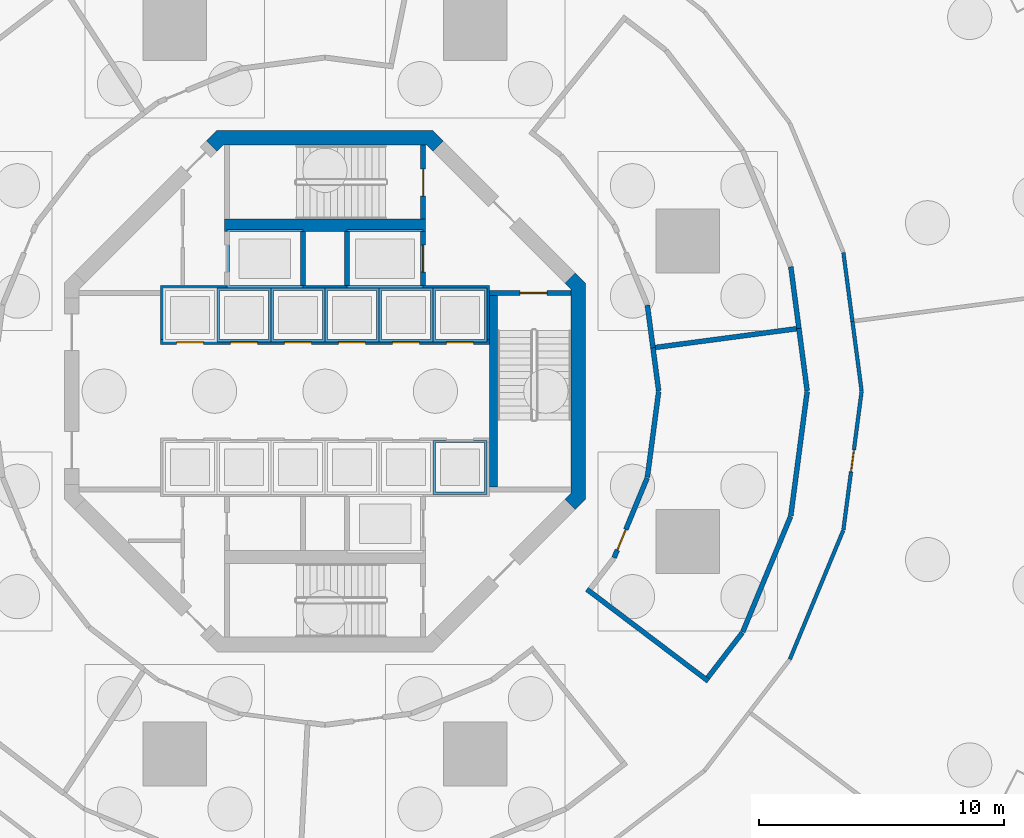
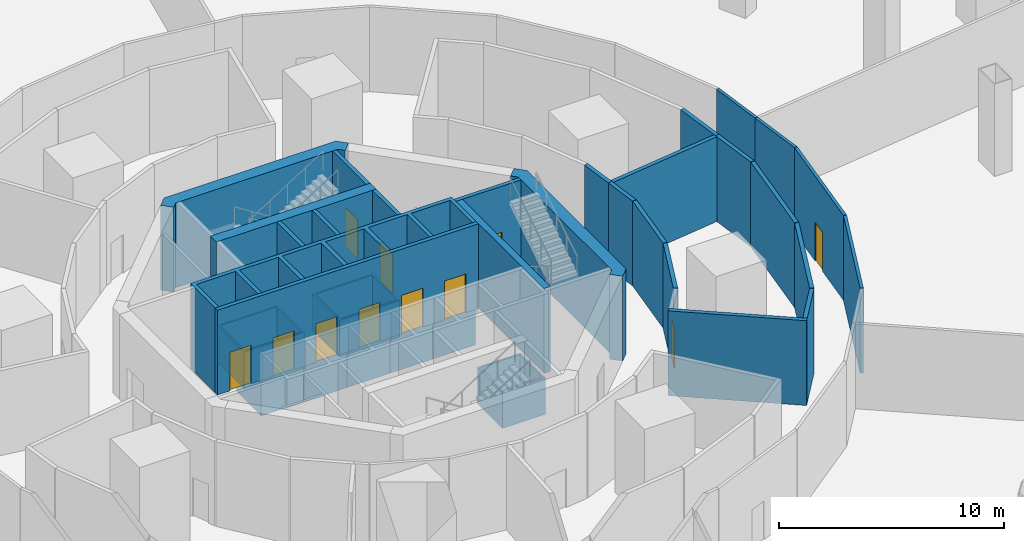
# One storey, part 8 of 14: 34 walls, 11 doors, 11 openings.
"""IFC4 building model written with IfcOpenShell, lengths in metres."""

import ifcopenshell
import ifcopenshell.guid

model = None  # the IFC model being written
_history = None  # IfcOwnerHistory: only IFC2X3 demands one
_inside = {}  # id of a spatial element -> (the spatial element, [elements in it])
_under = {}  # id of a project, library or spatial element -> (it, [spatial elements below it])
_declared = {}  # id of a project -> (the project, [libraries it declares])
_typed = {}  # id of a type object -> (the type object, [elements of that type])
_made_of = {}  # id of a material, layer set ... -> (it, [elements and type objects made of it])


def new_model(schema):
    """Start an empty IFC model of exactly this schema.

    Asked for "IFC4X3", IfcOpenShell would pick the latest addendum, in which some entities
    have other attributes; the version numbers below select the first issue.
    IFC2X3 requires an IfcOwnerHistory on every rooted entity: one is made here for all.
    """
    global model, _history
    if schema == "IFC4X3":
        model = ifcopenshell.file(schema_version=(4, 3, 0, 0))
    else:
        model = ifcopenshell.file(schema=schema)
    _inside.clear()
    _under.clear()
    _declared.clear()
    _typed.clear()
    _made_of.clear()
    _history = None
    if model.schema == "IFC2X3":
        org = make("IfcOrganization", Name="unknown")
        user = make(
            "IfcPersonAndOrganization",
            ThePerson=make("IfcPerson", FamilyName="unknown"),
            TheOrganization=org,
        )
        app = make(
            "IfcApplication",
            ApplicationDeveloper=org,
            Version="unknown",
            ApplicationFullName="unknown",
            ApplicationIdentifier="unknown",
        )
        _history = make(
            "IfcOwnerHistory",
            OwningUser=user,
            OwningApplication=app,
            ChangeAction="ADDED",
            CreationDate=0,
        )
    return model


def make(cls, **values):
    """One entity of the class cls with the attributes given. An attribute that is None is left unset."""
    return model.create_entity(
        cls, **{name: value for name, value in values.items() if value is not None}
    )


def rooted(cls, **values):
    """An entity with a GlobalId (a new one), such as an element, a storey or a relation."""
    return make(cls, GlobalId=ifcopenshell.guid.new(), OwnerHistory=_history, **values)


def si_unit(unit_type, name, prefix=None):
    """IfcSIUnit, for example si_unit("LENGTHUNIT", "METRE", prefix="MILLI")."""
    return make("IfcSIUnit", UnitType=unit_type, Prefix=prefix, Name=name)


def assignment(units):
    """IfcUnitAssignment: the units of a project."""
    return None if units is None else make("IfcUnitAssignment", Units=units)


def point(xyz):
    """IfcCartesianPoint."""
    return None if xyz is None else make("IfcCartesianPoint", Coordinates=xyz)


def direction(xyz):
    """IfcDirection."""
    return None if xyz is None else make("IfcDirection", DirectionRatios=xyz)


def frame(location, z_axis=None, x_axis=None):
    """IfcAxis2Placement3D, a coordinate frame: its origin and axes. An axis left out is left unset."""
    return make(
        "IfcAxis2Placement3D",
        Location=point(location),
        Axis=direction(z_axis),
        RefDirection=direction(x_axis),
    )


def frame_2d(location, x_axis=None):
    """IfcAxis2Placement2D, a coordinate frame in the plane: its origin and x axis."""
    return make(
        "IfcAxis2Placement2D", Location=point(location), RefDirection=direction(x_axis)
    )


def origin():
    """The frame at (0, 0, 0) with its axes left unset."""
    return frame((0.0, 0.0, 0.0))


def place(relative_to, where):
    """IfcLocalPlacement: puts the frame where relative to a parent placement (None: the world)."""
    return make(
        "IfcLocalPlacement", PlacementRelTo=relative_to, RelativePlacement=where
    )


def context(
    kind, dimensions, precision=None, world=None, true_north=None, identifier=None
):
    """IfcGeometricRepresentationContext, for example the 3D "Model" context."""
    return make(
        "IfcGeometricRepresentationContext",
        ContextIdentifier=identifier,
        ContextType=kind,
        CoordinateSpaceDimension=dimensions,
        Precision=precision,
        WorldCoordinateSystem=world,
        TrueNorth=true_north,
    )


def subcontext(parent, identifier, kind, view, scale=None):
    """IfcGeometricRepresentationSubContext, for example "Body" below "Model"."""
    return make(
        "IfcGeometricRepresentationSubContext",
        ContextIdentifier=identifier,
        ContextType=kind,
        ParentContext=parent,
        TargetScale=scale,
        TargetView=view,
    )


def project(units=None, contexts=None):
    """IfcProject with its units and contexts."""
    return rooted(
        "IfcProject",
        Name="project",
        RepresentationContexts=contexts,
        UnitsInContext=assignment(units),
    )


def spatial(cls, under=None, at=None, **own):
    """A site, building, storey or space (cls), placed at a placement, below another one or the project."""
    s = rooted(cls, ObjectPlacement=at, **own)
    if under is not None:
        _under.setdefault(under.id(), (under, []))[1].append(s)
    return s


def polyline(points):
    """IfcPolyline through the points."""
    return make("IfcPolyline", Points=[point(p) for p in points])


def profile(cls, at=None, kind="AREA", **sizes):
    """A parametric profile (cls). Its sizes go by their IFC names, for example OverallWidth=200.0."""
    return make(cls, ProfileType=kind, Position=at, **sizes)


def rectangle(**sizes):
    """IfcRectangleProfileDef."""
    return profile("IfcRectangleProfileDef", **sizes)


def outline(outer, holes=None, kind="AREA"):
    """IfcArbitraryClosedProfileDef: a profile drawn as a closed curve; with holes, ...WithVoids."""
    if holes is None:
        return make("IfcArbitraryClosedProfileDef", ProfileType=kind, OuterCurve=outer)
    return make(
        "IfcArbitraryProfileDefWithVoids",
        ProfileType=kind,
        OuterCurve=outer,
        InnerCurves=holes,
    )


def extrude(swept, where, along, depth):
    """IfcExtrudedAreaSolid: the profile swept, set in the frame where, extruded along a direction by depth."""
    return make(
        "IfcExtrudedAreaSolid",
        SweptArea=swept,
        Position=where,
        ExtrudedDirection=direction(along),
        Depth=depth,
    )


def shape(context_of_items, identifier, shape_type, items):
    """IfcShapeRepresentation: the items that make up one representation, for example the "Body"."""
    return make(
        "IfcShapeRepresentation",
        ContextOfItems=context_of_items,
        RepresentationIdentifier=identifier,
        RepresentationType=shape_type,
        Items=items,
    )


def material(Name=None, Category=None):
    """IfcMaterial."""
    return make("IfcMaterial", Name=Name, Category=Category)


def layer(
    of_material, thickness, ventilated=None, Name=None, Category=None, Priority=None
):
    """IfcMaterialLayer: one layer of a wall or slab, of a material (None: an air gap)."""
    return make(
        "IfcMaterialLayer",
        Material=of_material,
        LayerThickness=thickness,
        IsVentilated=ventilated,
        Name=Name,
        Category=Category,
        Priority=Priority,
    )


def layer_set(layers, Name=None):
    """IfcMaterialLayerSet."""
    return make("IfcMaterialLayerSet", MaterialLayers=layers, LayerSetName=Name)


def made_of(thing, what):
    """Note that an element or type object is made of a material, layer set ...; save() writes the relation."""
    if what is not None:
        _made_of.setdefault(what.id(), (what, []))[1].append(thing)
    return thing


def type_object(cls, material=None, **own):
    """A type object (cls), such as IfcWallType, which elements share."""
    return made_of(rooted(cls, **own), material)


def element(
    cls,
    number,
    at=None,
    inside=None,
    cuts=None,
    type_object=None,
    material=None,
    context=None,
    identifier="Body",
    shape_type=None,
    held_by="IfcProductDefinitionShape",
    body=None,
    shapes=None,
    **own,
):
    """One element of the class cls, such as IfcWall. Its Tag is "e" and its number.

    at: its placement. inside: the storey or other place that contains it. cuts: it is an
    opening in that element (IfcRelVoidsElement). A single representation is given by context,
    identifier, shape_type and body (its items); several are given by shapes. held_by: the class
    of the entity that holds the representations. save() writes the other relations.
    """
    e = rooted(cls, Tag="e%d" % number, ObjectPlacement=at, **own)
    if body is not None:
        shapes = [shape(context, identifier, shape_type, body)]
    if shapes is not None:
        e.Representation = make(held_by, Representations=shapes)
    if inside is not None:
        _inside.setdefault(inside.id(), (inside, []))[1].append(e)
    if cuts is not None:
        rooted(
            "IfcRelVoidsElement", RelatingBuildingElement=cuts, RelatedOpeningElement=e
        )
    if type_object is not None:
        _typed.setdefault(type_object.id(), (type_object, []))[1].append(e)
    return made_of(e, material)


def fill(opening, filler):
    """IfcRelFillsElement: the door or window that sits in an opening."""
    return rooted(
        "IfcRelFillsElement",
        RelatingOpeningElement=opening,
        RelatedBuildingElement=filler,
    )


def aggregate(whole, parts):
    """IfcRelAggregates: a whole, such as a stair, and the parts it consists of."""
    return rooted("IfcRelAggregates", RelatingObject=whole, RelatedObjects=parts)


def save(model, path):
    """Write the relations noted so far, then the file.

    IfcRelAggregates (storeys below a building ...), IfcRelContainedInSpatialStructure (elements
    in a storey), IfcRelDefinesByType, IfcRelAssociatesMaterial and IfcRelDeclares: one each for
    every whole, place, type object, material and project.
    """
    for whole, parts in _under.values():
        aggregate(whole, parts)
    for where, things in _inside.values():
        rooted(
            "IfcRelContainedInSpatialStructure",
            RelatedElements=things,
            RelatingStructure=where,
        )
    for kind, things in _typed.values():
        rooted("IfcRelDefinesByType", RelatedObjects=things, RelatingType=kind)
    for what, things in _made_of.values():
        rooted("IfcRelAssociatesMaterial", RelatedObjects=things, RelatingMaterial=what)
    for by, libraries in _declared.values():
        rooted("IfcRelDeclares", RelatingContext=by, RelatedDefinitions=libraries)
    model.write(path)


model = new_model("IFC4")

# Units and contexts
model_context = context("Model", 3, precision=1e-05, world=origin(), true_north=direction((0.0, 1.0)))
body_context = subcontext(model_context, "Body", "Model", "MODEL_VIEW")
ifc_project = project(units=[si_unit("LENGTHUNIT", "METRE"), si_unit("AREAUNIT", "SQUARE_METRE"), si_unit("VOLUMEUNIT", "CUBIC_METRE"), si_unit("PLANEANGLEUNIT", "RADIAN"), si_unit("MASSUNIT", "GRAM", prefix="KILO")], contexts=[model_context])

# Site, building, storey
site_placement = place(None, origin())
site = spatial("IfcSite", under=ifc_project, at=site_placement, CompositionType="ELEMENT")
building_placement = place(site_placement, origin())
building = spatial("IfcBuilding", under=site, at=building_placement, Name="Nagisa Residences", CompositionType="ELEMENT")
storey_placement = place(building_placement, frame((0.0, 0.0, -10.0)))
storey = spatial("IfcBuildingStorey", under=building, at=storey_placement, Name="B2", CompositionType="ELEMENT", Elevation=-10.0)

# Walls
ifc_material_1 = material(Name="Concrete C60", Category="concrete")
ifc_layer_1 = layer(ifc_material_1, 0.60009765625)
ifc_layer_set_1 = layer_set([ifc_layer_1], Name="Core shear wall 600")
wall_type_1 = type_object("IfcWallType", Name="Core shear wall 600", PredefinedType="SHEAR", material=ifc_layer_set_1)
wall_1_placement = place(storey_placement, origin())
element("IfcWall", 1, at=wall_1_placement, inside=storey, type_object=wall_type_1, Name="wall:B2:core:flat2", PredefinedType="SHEAR", context=body_context, shape_type="SweptSolid", body=[
    extrude(outline(polyline([(-4.15234375, 10.024658203125), (-4.40087890625, 9.776123046875), (-4.8251953125, 10.200439453125), (-4.40087890625, 10.62451171875), (4.40087890625, 10.62451171875), (4.8251953125, 10.200439453125), (4.40087890625, 9.776123046875), (4.15234375, 10.024658203125), (-4.15234375, 10.024658203125)])), origin(), (0.0, 0.0, 1.0), 4.60009765625),
])
wall_2_placement = place(storey_placement, origin())
element("IfcWall", 2, at=wall_2_placement, inside=storey, type_object=wall_type_1, Name="wall:B2:core:flat0", PredefinedType="SHEAR", context=body_context, shape_type="SweptSolid", body=[
    extrude(outline(polyline([(9.776123046875, -4.40087890625), (10.024658203125, -4.15234375), (10.024658203125, -3.801025390625), (10.024658203125, 4.15234375), (9.776123046875, 4.40087890625), (10.200439453125, 4.8251953125), (10.62451171875, 4.40087890625), (10.62451171875, -4.40087890625), (10.200439453125, -4.8251953125), (9.776123046875, -4.40087890625)])), origin(), (0.0, 0.0, 1.0), 4.60009765625),
])
ifc_material_2 = material(Name="Concrete C60", Category="concrete")
ifc_layer_2 = layer(ifc_material_2, 0.300048828125)
ifc_layer_set_2 = layer_set([ifc_layer_2], Name="Lift pit wall")
wall_type_2 = type_object("IfcWallType", Name="Lift pit wall", PredefinedType="SOLIDWALL", material=ifc_layer_set_2)
wall_3_placement = place(storey_placement, frame((0.0, 0.0, -2.0)))
element("IfcWall", 3, at=wall_3_placement, inside=storey, type_object=wall_type_2, Name="pit:A2:wall", PredefinedType="SOLIDWALL", context=body_context, shape_type="SweptSolid", body=[
    extrude(outline(polyline([(-2.199951171875, 2.0), (-4.39990234375, 2.0), (-4.39990234375, 4.199951171875), (-2.199951171875, 4.199951171875), (-2.199951171875, 2.0)]), holes=[polyline([(-2.300048828125, 2.10009765625), (-2.300048828125, 4.10009765625), (-4.300048828125, 4.10009765625), (-4.300048828125, 2.10009765625), (-2.300048828125, 2.10009765625)])]), origin(), (0.0, 0.0, 1.0), 2.0),
])
wall_4_placement = place(storey_placement, frame((0.0, 0.0, -2.0)))
element("IfcWall", 4, at=wall_4_placement, inside=storey, type_object=wall_type_2, Name="pit:A3:wall", PredefinedType="SOLIDWALL", context=body_context, shape_type="SweptSolid", body=[
    extrude(outline(polyline([(0.0, 2.0), (-2.199951171875, 2.0), (-2.199951171875, 4.199951171875), (0.0, 4.199951171875), (0.0, 2.0)]), holes=[polyline([(-0.10009765625, 2.10009765625), (-0.10009765625, 4.10009765625), (-2.10009765625, 4.10009765625), (-2.10009765625, 2.10009765625), (-0.10009765625, 2.10009765625)])]), origin(), (0.0, 0.0, 1.0), 2.0),
])
wall_5_placement = place(storey_placement, frame((0.0, 0.0, -2.0)))
element("IfcWall", 5, at=wall_5_placement, inside=storey, type_object=wall_type_2, Name="pit:B1:wall", PredefinedType="SOLIDWALL", context=body_context, shape_type="SweptSolid", body=[
    extrude(outline(polyline([(2.199951171875, 2.0), (0.0, 2.0), (0.0, 4.199951171875), (2.199951171875, 4.199951171875), (2.199951171875, 2.0)]), holes=[polyline([(2.10009765625, 2.10009765625), (2.10009765625, 4.10009765625), (0.10009765625, 4.10009765625), (0.10009765625, 2.10009765625), (2.10009765625, 2.10009765625)])]), origin(), (0.0, 0.0, 1.0), 2.0),
])
wall_6_placement = place(storey_placement, frame((0.0, 0.0, -2.0)))
element("IfcWall", 6, at=wall_6_placement, inside=storey, type_object=wall_type_2, Name="pit:B2:wall", PredefinedType="SOLIDWALL", context=body_context, shape_type="SweptSolid", body=[
    extrude(outline(polyline([(4.39990234375, 2.0), (2.199951171875, 2.0), (2.199951171875, 4.199951171875), (4.39990234375, 4.199951171875), (4.39990234375, 2.0)]), holes=[polyline([(4.300048828125, 2.10009765625), (4.300048828125, 4.10009765625), (2.300048828125, 4.10009765625), (2.300048828125, 2.10009765625), (4.300048828125, 2.10009765625)])]), origin(), (0.0, 0.0, 1.0), 2.0),
])
wall_7_placement = place(storey_placement, frame((0.0, 0.0, -2.0)))
element("IfcWall", 7, at=wall_7_placement, inside=storey, type_object=wall_type_2, Name="pit:C1:wall", PredefinedType="SOLIDWALL", context=body_context, shape_type="SweptSolid", body=[
    extrude(outline(polyline([(6.60009765625, 2.0), (4.39990234375, 2.0), (4.39990234375, 4.199951171875), (6.60009765625, 4.199951171875), (6.60009765625, 2.0)]), holes=[polyline([(6.5, 2.10009765625), (6.5, 4.10009765625), (4.5, 4.10009765625), (4.5, 2.10009765625), (6.5, 2.10009765625)])]), origin(), (0.0, 0.0, 1.0), 2.0),
])
wall_8_placement = place(storey_placement, frame((0.0, 0.0, -2.0)))
element("IfcWall", 8, at=wall_8_placement, inside=storey, type_object=wall_type_2, Name="pit:C3:wall", PredefinedType="SOLIDWALL", context=body_context, shape_type="SweptSolid", body=[
    extrude(outline(polyline([(6.60009765625, -4.199951171875), (4.39990234375, -4.199951171875), (4.39990234375, -2.0), (6.60009765625, -2.0), (6.60009765625, -4.199951171875)]), holes=[polyline([(6.5, -4.10009765625), (6.5, -2.10009765625), (4.5, -2.10009765625), (4.5, -4.10009765625), (6.5, -4.10009765625)])]), origin(), (0.0, 0.0, 1.0), 2.0),
])
wall_9_placement = place(storey_placement, frame((0.0, 0.0, -2.0)))
element("IfcWall", 9, at=wall_9_placement, inside=storey, type_object=wall_type_2, Name="pit:FL1:wall", PredefinedType="SOLIDWALL", context=body_context, shape_type="SweptSolid", body=[
    extrude(outline(polyline([(4.0, 4.199951171875), (0.89990234375, 4.199951171875), (0.89990234375, 6.60009765625), (4.0, 6.60009765625), (4.0, 4.199951171875)]), holes=[polyline([(3.89990234375, 4.300048828125), (3.89990234375, 6.5), (1.0, 6.5), (1.0, 4.300048828125), (3.89990234375, 4.300048828125)])]), origin(), (0.0, 0.0, 1.0), 2.0),
])
wall_10_placement = place(storey_placement, frame((0.0, 0.0, -2.0)))
element("IfcWall", 10, at=wall_10_placement, inside=storey, type_object=wall_type_2, Name="pit:SV:wall", PredefinedType="SOLIDWALL", context=body_context, shape_type="SweptSolid", body=[
    extrude(outline(polyline([(-0.89990234375, 4.199951171875), (-4.0, 4.199951171875), (-4.0, 6.60009765625), (-0.89990234375, 6.60009765625), (-0.89990234375, 4.199951171875)]), holes=[polyline([(-1.0, 4.300048828125), (-1.0, 6.5), (-3.89990234375, 6.5), (-3.89990234375, 4.300048828125), (-1.0, 4.300048828125)])]), origin(), (0.0, 0.0, 1.0), 2.0),
])

# Wall, opening, door
ifc_material_3 = material(Name="Concrete C60", Category="concrete")
ifc_layer_3 = layer(ifc_material_3, 0.199951171875)
ifc_layer_set_3 = layer_set([ifc_layer_3], Name="Lift shaft wall 200")
wall_type_3 = type_object("IfcWallType", Name="Lift shaft wall 200", PredefinedType="SOLIDWALL", material=ifc_layer_set_3)
wall_11_placement = place(storey_placement, frame((4.0, 4.300048828125, 0.0), z_axis=(0.0, 0.0, 1.0), x_axis=(0.0, 1.0, 0.0)))
wall_11 = element("IfcWall", 11, at=wall_11_placement, inside=storey, type_object=wall_type_3, Name="wall:B2:Nb3", PredefinedType="SOLIDWALL", context=body_context, shape_type="SweptSolid", body=[
    extrude(rectangle(XDim=2.199951171875, YDim=0.199951171875, at=frame_2d((1.10009765625, 0.0))), origin(), (0.0, 0.0, 1.0), 4.60009765625),
])
opening_1_placement = place(wall_11_placement, frame((0.550048828125, 0.0, 0.0)))
opening_1 = element("IfcOpeningElement", 12, at=opening_1_placement, cuts=wall_11, Name="Opening B2-C13", PredefinedType="OPENING", context=body_context, shape_type="SweptSolid", body=[
    extrude(rectangle(XDim=1.10009765625, YDim=2.10009765625, at=frame_2d((0.550048828125, 1.050048828125))), frame((0.0, 0.10986328125, 0.0), z_axis=(0.0, -1.0, 0.0), x_axis=(1.0, 0.0, 0.0)), (0.0, 0.0, 1.0), 0.219970703125),
])
ifc_material_4 = material(Name="Stainless steel", Category="steel")
door_type_1 = type_object("IfcDoorType", Name="Lift landing door 1100x2100", OperationType="DOUBLE_DOOR_SLIDING", PredefinedType="DOOR", material=ifc_material_4)
door_1_placement = place(opening_1_placement, origin())
door_1 = element("IfcDoor", 13, at=door_1_placement, inside=storey, type_object=door_type_1, Name="Landing door FL1 B2", OperationType="DOUBLE_DOOR_SLIDING", OverallHeight=2.10009765625, OverallWidth=1.10009765625, PredefinedType="DOOR", context=body_context, shape_type="SweptSolid", body=[
    extrude(rectangle(XDim=1.10009765625, YDim=2.10009765625, at=frame_2d((0.550048828125, 1.050048828125))), frame((0.0, 0.02490234375, 0.0), z_axis=(0.0, -1.0, 0.0), x_axis=(1.0, 0.0, 0.0)), (0.0, 0.0, 1.0), 0.050048828125),
])
fill(opening_1, door_1)

# Wall, openings, doors
wall_12_placement = place(storey_placement, frame((-6.699951171875, 2.0, 0.0), z_axis=(0.0, 0.0, 1.0), x_axis=(1.0, 0.0, 0.0)))
wall_12 = element("IfcWall", 14, at=wall_12_placement, inside=storey, type_object=wall_type_3, Name="wall:B2:Nfront", PredefinedType="SOLIDWALL", context=body_context, shape_type="SweptSolid", body=[
    extrude(rectangle(XDim=13.39990234375, YDim=0.199951171875, at=frame_2d((6.699951171875, 0.0))), origin(), (0.0, 0.0, 1.0), 4.60009765625),
])
opening_2_placement = place(wall_12_placement, frame((0.64990234375, 0.0, 0.0)))
opening_2 = element("IfcOpeningElement", 15, at=opening_2_placement, cuts=wall_12, Name="Opening B2-C01", PredefinedType="OPENING", context=body_context, shape_type="SweptSolid", body=[
    extrude(rectangle(XDim=1.10009765625, YDim=2.10009765625, at=frame_2d((0.550048828125, 1.050048828125))), frame((0.0, 0.10986328125, 0.0), z_axis=(0.0, -1.0, 0.0), x_axis=(1.0, 0.0, 0.0)), (0.0, 0.0, 1.0), 0.219970703125),
])
opening_3_placement = place(wall_12_placement, frame((2.85009765625, 0.0, 0.0)))
opening_3 = element("IfcOpeningElement", 16, at=opening_3_placement, cuts=wall_12, Name="Opening B2-C02", PredefinedType="OPENING", context=body_context, shape_type="SweptSolid", body=[
    extrude(rectangle(XDim=1.10009765625, YDim=2.10009765625, at=frame_2d((0.550048828125, 1.050048828125))), frame((0.0, 0.10986328125, 0.0), z_axis=(0.0, -1.0, 0.0), x_axis=(1.0, 0.0, 0.0)), (0.0, 0.0, 1.0), 0.219970703125),
])
opening_4_placement = place(wall_12_placement, frame((5.050048828125, 0.0, 0.0)))
opening_4 = element("IfcOpeningElement", 17, at=opening_4_placement, cuts=wall_12, Name="Opening B2-C03", PredefinedType="OPENING", context=body_context, shape_type="SweptSolid", body=[
    extrude(rectangle(XDim=1.10009765625, YDim=2.10009765625, at=frame_2d((0.550048828125, 1.050048828125))), frame((0.0, 0.10986328125, 0.0), z_axis=(0.0, -1.0, 0.0), x_axis=(1.0, 0.0, 0.0)), (0.0, 0.0, 1.0), 0.219970703125),
])
opening_5_placement = place(wall_12_placement, frame((7.25, 0.0, 0.0)))
opening_5 = element("IfcOpeningElement", 18, at=opening_5_placement, cuts=wall_12, Name="Opening B2-C04", PredefinedType="OPENING", context=body_context, shape_type="SweptSolid", body=[
    extrude(rectangle(XDim=1.10009765625, YDim=2.10009765625, at=frame_2d((0.550048828125, 1.050048828125))), frame((0.0, 0.10986328125, 0.0), z_axis=(0.0, -1.0, 0.0), x_axis=(1.0, 0.0, 0.0)), (0.0, 0.0, 1.0), 0.219970703125),
])
opening_6_placement = place(wall_12_placement, frame((9.449951171875, 0.0, 0.0)))
opening_6 = element("IfcOpeningElement", 19, at=opening_6_placement, cuts=wall_12, Name="Opening B2-C05", PredefinedType="OPENING", context=body_context, shape_type="SweptSolid", body=[
    extrude(rectangle(XDim=1.10009765625, YDim=2.10009765625, at=frame_2d((0.550048828125, 1.050048828125))), frame((0.0, 0.10986328125, 0.0), z_axis=(0.0, -1.0, 0.0), x_axis=(1.0, 0.0, 0.0)), (0.0, 0.0, 1.0), 0.219970703125),
])
opening_7_placement = place(wall_12_placement, frame((11.64990234375, 0.0, 0.0)))
opening_7 = element("IfcOpeningElement", 20, at=opening_7_placement, cuts=wall_12, Name="Opening B2-C06", PredefinedType="OPENING", context=body_context, shape_type="SweptSolid", body=[
    extrude(rectangle(XDim=1.10009765625, YDim=2.10009765625, at=frame_2d((0.550048828125, 1.050048828125))), frame((0.0, 0.10986328125, 0.0), z_axis=(0.0, -1.0, 0.0), x_axis=(1.0, 0.0, 0.0)), (0.0, 0.0, 1.0), 0.219970703125),
])
door_2_placement = place(opening_2_placement, origin())
door_2 = element("IfcDoor", 21, at=door_2_placement, inside=storey, type_object=door_type_1, Name="Landing door A1 B2", OperationType="DOUBLE_DOOR_SLIDING", OverallHeight=2.10009765625, OverallWidth=1.10009765625, PredefinedType="DOOR", context=body_context, shape_type="SweptSolid", body=[
    extrude(rectangle(XDim=1.10009765625, YDim=2.10009765625, at=frame_2d((0.550048828125, 1.050048828125))), frame((0.0, 0.02490234375, 0.0), z_axis=(0.0, -1.0, 0.0), x_axis=(1.0, 0.0, 0.0)), (0.0, 0.0, 1.0), 0.050048828125),
])
fill(opening_2, door_2)
door_3_placement = place(opening_3_placement, origin())
door_3 = element("IfcDoor", 22, at=door_3_placement, inside=storey, type_object=door_type_1, Name="Landing door A2 B2", OperationType="DOUBLE_DOOR_SLIDING", OverallHeight=2.10009765625, OverallWidth=1.10009765625, PredefinedType="DOOR", context=body_context, shape_type="SweptSolid", body=[
    extrude(rectangle(XDim=1.10009765625, YDim=2.10009765625, at=frame_2d((0.550048828125, 1.050048828125))), frame((0.0, 0.02490234375, 0.0), z_axis=(0.0, -1.0, 0.0), x_axis=(1.0, 0.0, 0.0)), (0.0, 0.0, 1.0), 0.050048828125),
])
fill(opening_3, door_3)
door_4_placement = place(opening_4_placement, origin())
door_4 = element("IfcDoor", 23, at=door_4_placement, inside=storey, type_object=door_type_1, Name="Landing door A3 B2", OperationType="DOUBLE_DOOR_SLIDING", OverallHeight=2.10009765625, OverallWidth=1.10009765625, PredefinedType="DOOR", context=body_context, shape_type="SweptSolid", body=[
    extrude(rectangle(XDim=1.10009765625, YDim=2.10009765625, at=frame_2d((0.550048828125, 1.050048828125))), frame((0.0, 0.02490234375, 0.0), z_axis=(0.0, -1.0, 0.0), x_axis=(1.0, 0.0, 0.0)), (0.0, 0.0, 1.0), 0.050048828125),
])
fill(opening_4, door_4)
door_5_placement = place(opening_5_placement, origin())
door_5 = element("IfcDoor", 24, at=door_5_placement, inside=storey, type_object=door_type_1, Name="Landing door B1 B2", OperationType="DOUBLE_DOOR_SLIDING", OverallHeight=2.10009765625, OverallWidth=1.10009765625, PredefinedType="DOOR", context=body_context, shape_type="SweptSolid", body=[
    extrude(rectangle(XDim=1.10009765625, YDim=2.10009765625, at=frame_2d((0.550048828125, 1.050048828125))), frame((0.0, 0.02490234375, 0.0), z_axis=(0.0, -1.0, 0.0), x_axis=(1.0, 0.0, 0.0)), (0.0, 0.0, 1.0), 0.050048828125),
])
fill(opening_5, door_5)
door_6_placement = place(opening_6_placement, origin())
door_6 = element("IfcDoor", 25, at=door_6_placement, inside=storey, type_object=door_type_1, Name="Landing door B2 B2", OperationType="DOUBLE_DOOR_SLIDING", OverallHeight=2.10009765625, OverallWidth=1.10009765625, PredefinedType="DOOR", context=body_context, shape_type="SweptSolid", body=[
    extrude(rectangle(XDim=1.10009765625, YDim=2.10009765625, at=frame_2d((0.550048828125, 1.050048828125))), frame((0.0, 0.02490234375, 0.0), z_axis=(0.0, -1.0, 0.0), x_axis=(1.0, 0.0, 0.0)), (0.0, 0.0, 1.0), 0.050048828125),
])
fill(opening_6, door_6)
door_7_placement = place(opening_7_placement, origin())
door_7 = element("IfcDoor", 26, at=door_7_placement, inside=storey, type_object=door_type_1, Name="Landing door C1 B2", OperationType="DOUBLE_DOOR_SLIDING", OverallHeight=2.10009765625, OverallWidth=1.10009765625, PredefinedType="DOOR", context=body_context, shape_type="SweptSolid", body=[
    extrude(rectangle(XDim=1.10009765625, YDim=2.10009765625, at=frame_2d((0.550048828125, 1.050048828125))), frame((0.0, 0.02490234375, 0.0), z_axis=(0.0, -1.0, 0.0), x_axis=(1.0, 0.0, 0.0)), (0.0, 0.0, 1.0), 0.050048828125),
])
fill(opening_7, door_7)

# Walls
for number, where, z_axis, x_axis, name in (
    (27, (-0.89990234375, 4.300048828125, 0.0), (0.0, 0.0, 1.0), (0.0, 1.0, 0.0), "wall:B2:Nb1"),
    (28, (0.89990234375, 4.300048828125, 0.0), (0.0, 0.0, 1.0), (0.0, 1.0, 0.0), "wall:B2:Nb2"),
):
    element("IfcWall", number, at=place(storey_placement, frame(where, z_axis=z_axis, x_axis=x_axis)), inside=storey, type_object=wall_type_3, Name=name, PredefinedType="SOLIDWALL", context=body_context, shape_type="SweptSolid", body=[
        extrude(rectangle(XDim=2.199951171875, YDim=0.199951171875, at=frame_2d((1.10009765625, 0.0))), origin(), (0.0, 0.0, 1.0), 4.60009765625),
    ])
wall_13_placement = place(storey_placement, origin())
element("IfcWall", 29, at=wall_13_placement, inside=storey, type_object=wall_type_3, Name="wall:B2:Nback", PredefinedType="SOLIDWALL", context=body_context, shape_type="SweptSolid", body=[
    extrude(outline(polyline([(-6.5, 2.10009765625), (-6.699951171875, 2.10009765625), (-6.699951171875, 4.300048828125), (6.699951171875, 4.300048828125), (6.699951171875, 2.10009765625), (6.5, 2.10009765625), (6.5, 4.10009765625), (4.5, 4.10009765625), (4.5, 2.10009765625), (4.300048828125, 2.10009765625), (4.300048828125, 4.10009765625), (2.300048828125, 4.10009765625), (2.300048828125, 2.10009765625), (2.10009765625, 2.10009765625), (2.10009765625, 4.10009765625), (0.10009765625, 4.10009765625), (0.10009765625, 2.10009765625), (-0.10009765625, 2.10009765625), (-0.10009765625, 4.10009765625), (-2.10009765625, 4.10009765625), (-2.10009765625, 2.10009765625), (-2.300048828125, 2.10009765625), (-2.300048828125, 4.10009765625), (-4.300048828125, 4.10009765625), (-4.300048828125, 2.10009765625), (-4.5, 2.10009765625), (-4.5, 4.10009765625), (-6.5, 4.10009765625), (-6.5, 2.10009765625)])), origin(), (0.0, 0.0, 1.0), 4.60009765625),
])
ifc_material_5 = material(Name="Gypsum board on steel studs", Category="steel")
ifc_layer_4 = layer(ifc_material_5, 0.199951171875)
ifc_layer_set_4 = layer_set([ifc_layer_4], Name="Plant room wall EI120 200")
wall_type_4 = type_object("IfcWallType", Name="Plant room wall EI120 200", PredefinedType="PARTITIONING", material=ifc_layer_set_4)
wall_14_placement = place(storey_placement, frame((10.6748046875, -8.073486328125, 0.0), z_axis=(0.0, 0.0, 1.0), x_axis=(0.797578930951, -0.603214596062, 0.0)))
element("IfcWall", 30, at=wall_14_placement, inside=storey, type_object=wall_type_4, Name="wall:B2:am084", PredefinedType="PARTITIONING", context=body_context, shape_type="SweptSolid", body=[
    extrude(rectangle(XDim=6.2001953125, YDim=0.199951171875, at=frame_2d((3.10009765625, 0.0))), origin(), (0.0, 0.0, 1.0), 4.60009765625),
])

# Wall, opening, door
wall_15_placement = place(storey_placement, frame((13.130859375, -3.533935546875, 0.0), z_axis=(0.0, 0.0, 1.0), x_axis=(-0.382723413813, -0.92386297064, 0.0)))
wall_15 = element("IfcWall", 31, at=wall_15_placement, inside=storey, type_object=wall_type_4, Name="wall:B2:am089", PredefinedType="PARTITIONING", context=body_context, shape_type="SweptSolid", body=[
    extrude(rectangle(XDim=3.52001953125, YDim=0.199951171875, at=frame_2d((1.760009765625, 0.0))), origin(), (0.0, 0.0, 1.0), 4.60009765625),
])
opening_8_placement = place(wall_15_placement, frame((2.277587890625, 0.0, 0.0)))
opening_8 = element("IfcOpeningElement", 32, at=opening_8_placement, cuts=wall_15, Name="Opening B2-A07", PredefinedType="OPENING", context=body_context, shape_type="SweptSolid", body=[
    extrude(rectangle(XDim=0.89990234375, YDim=2.10009765625, at=frame_2d((0.449951171875, 1.050048828125))), frame((0.0, 0.10986328125, 0.0), z_axis=(0.0, -1.0, 0.0), x_axis=(1.0, 0.0, 0.0)), (0.0, 0.0, 1.0), 0.219970703125),
])
ifc_material_6 = material(Name="Steel fire door", Category="steel")
door_type_2 = type_object("IfcDoorType", Name="Fire door EI120 900x2100 single swing", OperationType="NOTDEFINED", PredefinedType="DOOR", material=ifc_material_6)
door_8_placement = place(opening_8_placement, origin())
door_8 = element("IfcDoor", 33, at=door_8_placement, inside=storey, type_object=door_type_2, Name="Rainwater tank room door", OperationType="SINGLE_SWING_RIGHT", OverallHeight=2.10009765625, OverallWidth=0.89990234375, PredefinedType="DOOR", context=body_context, shape_type="SweptSolid", body=[
    extrude(rectangle(XDim=0.89990234375, YDim=2.10009765625, at=frame_2d((0.449951171875, 1.050048828125))), frame((0.0, 0.02490234375, 0.0), z_axis=(0.0, -1.0, 0.0), x_axis=(1.0, 0.0, 0.0)), (0.0, 0.0, 1.0), 0.050048828125),
])
fill(opening_8, door_8)

# Walls
wall_16_placement = place(storey_placement, frame((13.138671875, 3.5048828125, 0.0), z_axis=(0.0, 0.0, 1.0), x_axis=(0.130490614336, -0.991449544642, 0.0)))
element("IfcWall", 34, at=wall_16_placement, inside=storey, type_object=wall_type_4, Name="wall:B2:am090", PredefinedType="PARTITIONING", context=body_context, shape_type="SweptSolid", body=[
    extrude(rectangle(XDim=1.749267578125, YDim=0.199951171875, at=frame_2d((0.87451171875, 0.0))), origin(), (0.0, 0.0, 1.0), 4.60009765625),
])
wall_17_placement = place(storey_placement, frame((13.366943359375, 1.7705078125, 0.0), z_axis=(0.0, 0.0, 1.0), x_axis=(0.13044737852, -0.991455234207, 0.0)))
element("IfcWall", 35, at=wall_17_placement, inside=storey, type_object=wall_type_4, Name="wall:B2:am091", PredefinedType="PARTITIONING", context=body_context, shape_type="SweptSolid", body=[
    extrude(rectangle(XDim=1.7705078125, YDim=0.199951171875, at=frame_2d((0.88525390625, 0.0))), origin(), (0.0, 0.0, 1.0), 4.60009765625),
])
wall_18_placement = place(storey_placement, frame((13.597900390625, -0.01513671875, 0.0), z_axis=(0.0, 0.0, 1.0), x_axis=(-0.130468866457, -0.991452406768, 0.0)))
element("IfcWall", 36, at=wall_18_placement, inside=storey, type_object=wall_type_4, Name="wall:B2:am092", PredefinedType="PARTITIONING", context=body_context, shape_type="SweptSolid", body=[
    extrude(rectangle(XDim=3.519775390625, YDim=0.199951171875, at=frame_2d((1.759765625, 0.0))), origin(), (0.0, 0.0, 1.0), 4.60009765625),
])
wall_19_placement = place(storey_placement, frame((15.60107421875, -11.673828125, 0.0), z_axis=(0.0, 0.0, 1.0), x_axis=(0.608741577542, 0.793368572463, 0.0)))
element("IfcWall", 37, at=wall_19_placement, inside=storey, type_object=wall_type_4, Name="wall:B2:am094", PredefinedType="PARTITIONING", context=body_context, shape_type="SweptSolid", body=[
    extrude(rectangle(XDim=2.314208984375, YDim=0.199951171875, at=frame_2d((1.1572265625, 0.0))), origin(), (0.0, 0.0, 1.0), 4.60009765625),
])
for number, where, z_axis, x_axis, name in (
    (38, (17.024658203125, -9.81201171875, 0.0), (0.0, 0.0, 1.0), (0.382687210373, 0.9238779676, 0.0), "wall:B2:am095"),
    (39, (18.984130859375, -5.0712890625, 0.0), (0.0, 0.0, 1.0), (0.13054862779, 0.991441907417, 0.0), "wall:B2:am097"),
):
    element("IfcWall", number, at=place(storey_placement, frame(where, z_axis=z_axis, x_axis=x_axis)), inside=storey, type_object=wall_type_4, Name=name, PredefinedType="PARTITIONING", context=body_context, shape_type="SweptSolid", body=[
        extrude(rectangle(XDim=5.099853515625, YDim=0.199951171875, at=frame_2d((2.5498046875, 0.0))), origin(), (0.0, 0.0, 1.0), 4.60009765625),
    ])
wall_20_placement = place(storey_placement, frame((19.2158203125, 2.545166015625, 0.0), z_axis=(0.0, 0.0, 1.0), x_axis=(-0.991344053672, -0.131289631158, 0.0)))
element("IfcWall", 40, at=wall_20_placement, inside=storey, type_object=wall_type_4, Name="wall:B2:am099", PredefinedType="PARTITIONING", context=body_context, shape_type="SweptSolid", body=[
    extrude(rectangle(XDim=5.800048828125, YDim=0.199951171875, at=frame_2d((2.89990234375, 0.0))), origin(), (0.0, 0.0, 1.0), 4.60009765625),
])
wall_21_placement = place(storey_placement, frame((19.31494140625, 2.558349609375, 0.0), z_axis=(0.0, 0.0, 1.0), x_axis=(-0.130516803836, 0.991446097333, 0.0)))
element("IfcWall", 41, at=wall_21_placement, inside=storey, type_object=wall_type_4, Name="wall:B2:am100", PredefinedType="PARTITIONING", context=body_context, shape_type="SweptSolid", body=[
    extrude(rectangle(XDim=2.53466796875, YDim=0.199951171875, at=frame_2d((1.267333984375, 0.0))), origin(), (0.0, 0.0, 1.0), 4.60009765625),
])
wall_22_placement = place(storey_placement, frame((19.64990234375, 0.01513671875, 0.0), z_axis=(0.0, 0.0, 1.0), x_axis=(-0.130580072527, 0.991437766407, 0.0)))
element("IfcWall", 42, at=wall_22_placement, inside=storey, type_object=wall_type_4, Name="wall:B2:am101", PredefinedType="PARTITIONING", context=body_context, shape_type="SweptSolid", body=[
    extrude(rectangle(XDim=2.565185546875, YDim=0.199951171875, at=frame_2d((1.28271484375, 0.0))), origin(), (0.0, 0.0, 1.0), 4.60009765625),
])
ifc_material_7 = material(Name="Gypsum board on steel studs", Category="steel")
ifc_layer_5 = layer(ifc_material_7, 0.14990234375)
ifc_layer_set_5 = layer_set([ifc_layer_5], Name="Room partition EI60 150")
wall_type_5 = type_object("IfcWallType", Name="Room partition EI60 150", PredefinedType="PARTITIONING", material=ifc_layer_set_5)
wall_23_placement = place(storey_placement, frame((21.120849609375, -5.671630859375, 0.0), z_axis=(0.0, 0.0, 1.0), x_axis=(-0.38269058712, -0.923876568882, 0.0)))
element("IfcWall", 43, at=wall_23_placement, inside=storey, type_object=wall_type_5, Name="wall:B2:am039", PredefinedType="PARTITIONING", context=body_context, shape_type="SweptSolid", body=[
    extrude(rectangle(XDim=5.685546875, YDim=0.14990234375, at=frame_2d((2.8427734375, 0.0))), origin(), (0.0, 0.0, 1.0), 4.60009765625),
])
wall_24_placement = place(storey_placement, frame((21.126953125, 5.64892578125, 0.0), z_axis=(0.0, 0.0, 1.0), x_axis=(0.130539434571, -0.991443117895, 0.0)))
element("IfcWall", 44, at=wall_24_placement, inside=storey, type_object=wall_type_5, Name="wall:B2:am040", PredefinedType="PARTITIONING", context=body_context, shape_type="SweptSolid", body=[
    extrude(rectangle(XDim=2.825927734375, YDim=0.14990234375, at=frame_2d((1.4130859375, 0.0))), origin(), (0.0, 0.0, 1.0), 4.60009765625),
])
wall_25_placement = place(storey_placement, frame((21.495849609375, 2.84716796875, 0.0), z_axis=(0.0, 0.0, 1.0), x_axis=(0.130525176299, -0.991444995122, 0.0)))
element("IfcWall", 45, at=wall_25_placement, inside=storey, type_object=wall_type_5, Name="wall:B2:am041", PredefinedType="PARTITIONING", context=body_context, shape_type="SweptSolid", body=[
    extrude(rectangle(XDim=2.85986328125, YDim=0.14990234375, at=frame_2d((1.429931640625, 0.0))), origin(), (0.0, 0.0, 1.0), 4.60009765625),
])

# Wall, opening, door
wall_26_placement = place(storey_placement, frame((21.869140625, -0.01171875, 0.0), z_axis=(0.0, 0.0, 1.0), x_axis=(-0.130532262837, -0.991444062143, 0.0)))
wall_26 = element("IfcWall", 46, at=wall_26_placement, inside=storey, type_object=wall_type_5, Name="wall:B2:am042", PredefinedType="PARTITIONING", context=body_context, shape_type="SweptSolid", body=[
    extrude(rectangle(XDim=5.685791015625, YDim=0.14990234375, at=frame_2d((2.8427734375, 0.0))), origin(), (0.0, 0.0, 1.0), 4.60009765625),
])
opening_9_placement = place(wall_26_placement, frame((2.392822265625, 0.0, 0.0)))
opening_9 = element("IfcOpeningElement", 47, at=opening_9_placement, cuts=wall_26, Name="Opening B2-A14", PredefinedType="OPENING", context=body_context, shape_type="SweptSolid", body=[
    extrude(rectangle(XDim=0.89990234375, YDim=2.10009765625, at=frame_2d((0.449951171875, 1.050048828125))), frame((0.0, 0.0849609375, 0.0), z_axis=(0.0, -1.0, 0.0), x_axis=(1.0, 0.0, 0.0)), (0.0, 0.0, 1.0), 0.169921875),
])
ifc_material_8 = material(Name="Steel fire door", Category="steel")
door_type_3 = type_object("IfcDoorType", Name="Fire door EI30 900x2100 single swing", OperationType="NOTDEFINED", PredefinedType="DOOR", material=ifc_material_8)
door_9_placement = place(opening_9_placement, origin())
door_9 = element("IfcDoor", 48, at=door_9_placement, inside=storey, type_object=door_type_3, Name="Record archive door", OperationType="SINGLE_SWING_LEFT", OverallHeight=2.10009765625, OverallWidth=0.89990234375, PredefinedType="DOOR", context=body_context, shape_type="SweptSolid", body=[
    extrude(rectangle(XDim=0.89990234375, YDim=2.10009765625, at=frame_2d((0.449951171875, 1.050048828125))), frame((0.0, 0.02490234375, 0.0), z_axis=(0.0, -1.0, 0.0), x_axis=(1.0, 0.0, 0.0)), (0.0, 0.0, 1.0), 0.050048828125),
])
fill(opening_9, door_9)

ifc_material_9 = material(Name="Concrete C60", Category="concrete")
ifc_layer_6 = layer(ifc_material_9, 0.199951171875)
ifc_layer_set_6 = layer_set([ifc_layer_6], Name="Stair enclosure wall 200")
wall_type_6 = type_object("IfcWallType", Name="Stair enclosure wall 200", PredefinedType="SOLIDWALL", material=ifc_layer_set_6)
wall_27_placement = place(storey_placement, frame((6.699951171875, 4.0, 0.0), z_axis=(0.0, 0.0, 1.0), x_axis=(1.0, 0.0, 0.0)))
wall_27 = element("IfcWall", 49, at=wall_27_placement, inside=storey, type_object=wall_type_6, Name="wall:B2:SE_n", PredefinedType="SOLIDWALL", context=body_context, shape_type="SweptSolid", body=[
    extrude(rectangle(XDim=3.32470703125, YDim=0.199951171875, at=frame_2d((1.662353515625, 0.0))), origin(), (0.0, 0.0, 1.0), 4.60009765625),
])
opening_10_placement = place(wall_27_placement, frame((1.25, 0.0, 0.0)))
opening_10 = element("IfcOpeningElement", 50, at=opening_10_placement, cuts=wall_27, Name="Opening B2-C16", PredefinedType="OPENING", context=body_context, shape_type="SweptSolid", body=[
    extrude(rectangle(XDim=1.10009765625, YDim=2.10009765625, at=frame_2d((0.550048828125, 1.050048828125))), frame((0.0, 0.10986328125, 0.0), z_axis=(0.0, -1.0, 0.0), x_axis=(1.0, 0.0, 0.0)), (0.0, 0.0, 1.0), 0.219970703125),
])
ifc_material_10 = material(Name="Steel fire door", Category="steel")
door_type_4 = type_object("IfcDoorType", Name="Fire door EI90 1100x2100 single swing", OperationType="NOTDEFINED", PredefinedType="DOOR", material=ifc_material_10)
door_10_placement = place(opening_10_placement, frame((1.10009765625, 0.0, 0.0), x_axis=(-1.0, 0.0, 0.0)))
door_10 = element("IfcDoor", 51, at=door_10_placement, inside=storey, type_object=door_type_4, Name="Stair door ST-E B2", OperationType="SINGLE_SWING_RIGHT", OverallHeight=2.10009765625, OverallWidth=1.10009765625, PredefinedType="DOOR", context=body_context, shape_type="SweptSolid", body=[
    extrude(rectangle(XDim=1.10009765625, YDim=2.10009765625, at=frame_2d((0.550048828125, 1.050048828125))), frame((0.0, 0.02490234375, 0.0), z_axis=(0.0, -1.0, 0.0), x_axis=(1.0, 0.0, 0.0)), (0.0, 0.0, 1.0), 0.050048828125),
])
fill(opening_10, door_10)

wall_28_placement = place(storey_placement, frame((4.0, 7.024658203125, 0.0), z_axis=(0.0, 0.0, 1.0), x_axis=(0.0, 1.0, 0.0)))
wall_28 = element("IfcWall", 52, at=wall_28_placement, inside=storey, type_object=wall_type_6, Name="wall:B2:SN_e", PredefinedType="SOLIDWALL", context=body_context, shape_type="SweptSolid", body=[
    extrude(rectangle(XDim=3.0, YDim=0.199951171875, at=frame_2d((1.5, 0.0))), origin(), (0.0, 0.0, 1.0), 4.60009765625),
])
opening_11_placement = place(wall_28_placement, frame((0.92529296875, 0.0, 0.0)))
opening_11 = element("IfcOpeningElement", 53, at=opening_11_placement, cuts=wall_28, Name="Opening B2-C17", PredefinedType="OPENING", context=body_context, shape_type="SweptSolid", body=[
    extrude(rectangle(XDim=1.10009765625, YDim=2.10009765625, at=frame_2d((0.550048828125, 1.050048828125))), frame((0.0, 0.10986328125, 0.0), z_axis=(0.0, -1.0, 0.0), x_axis=(1.0, 0.0, 0.0)), (0.0, 0.0, 1.0), 0.219970703125),
])
door_11_placement = place(opening_11_placement, origin())
door_11 = element("IfcDoor", 54, at=door_11_placement, inside=storey, type_object=door_type_4, Name="Stair door ST-N B2", OperationType="SINGLE_SWING_LEFT", OverallHeight=2.10009765625, OverallWidth=1.10009765625, PredefinedType="DOOR", context=body_context, shape_type="SweptSolid", body=[
    extrude(rectangle(XDim=1.10009765625, YDim=2.10009765625, at=frame_2d((0.550048828125, 1.050048828125))), frame((0.0, 0.02490234375, 0.0), z_axis=(0.0, -1.0, 0.0), x_axis=(1.0, 0.0, 0.0)), (0.0, 0.0, 1.0), 0.050048828125),
])
fill(opening_11, door_11)

# Walls
wall_29_placement = place(storey_placement, origin())
element("IfcWall", 55, at=wall_29_placement, inside=storey, type_object=wall_type_6, Name="wall:B2:SN_s", PredefinedType="SOLIDWALL", context=body_context, shape_type="SweptSolid", body=[
    extrude(outline(polyline([(4.10009765625, 6.5), (-4.10009765625, 6.5), (-4.10009765625, 7.024658203125), (4.10009765625, 7.024658203125), (4.10009765625, 6.5)])), origin(), (0.0, 0.0, 1.0), 4.60009765625),
])
wall_30_placement = place(storey_placement, origin())
element("IfcWall", 56, at=wall_30_placement, inside=storey, type_object=wall_type_6, Name="wall:B2:SE_w", PredefinedType="SOLIDWALL", context=body_context, shape_type="SweptSolid", body=[
    extrude(outline(polyline([(7.024658203125, -3.89990234375), (6.699951171875, -3.89990234375), (6.699951171875, 3.89990234375), (7.024658203125, 3.89990234375), (7.024658203125, -3.89990234375)])), origin(), (0.0, 0.0, 1.0), 4.60009765625),
])

save(model, "model.ifc")
